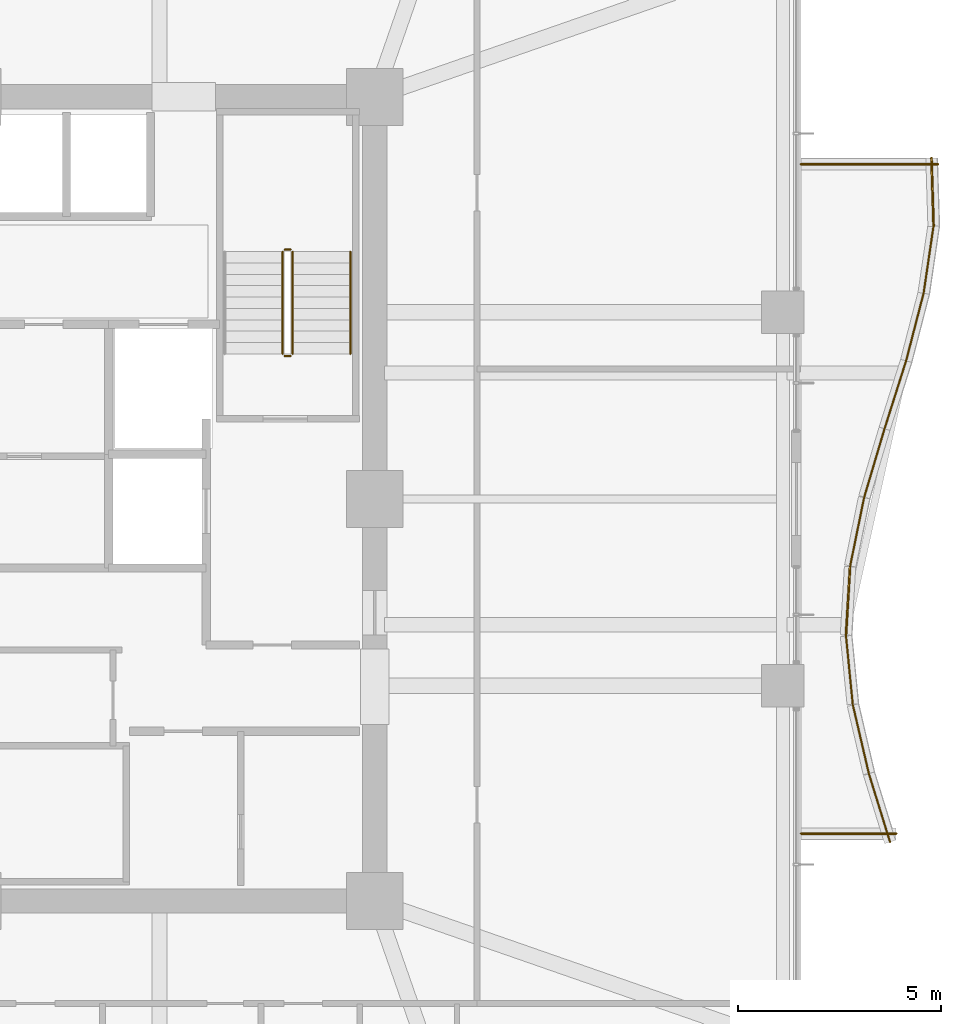
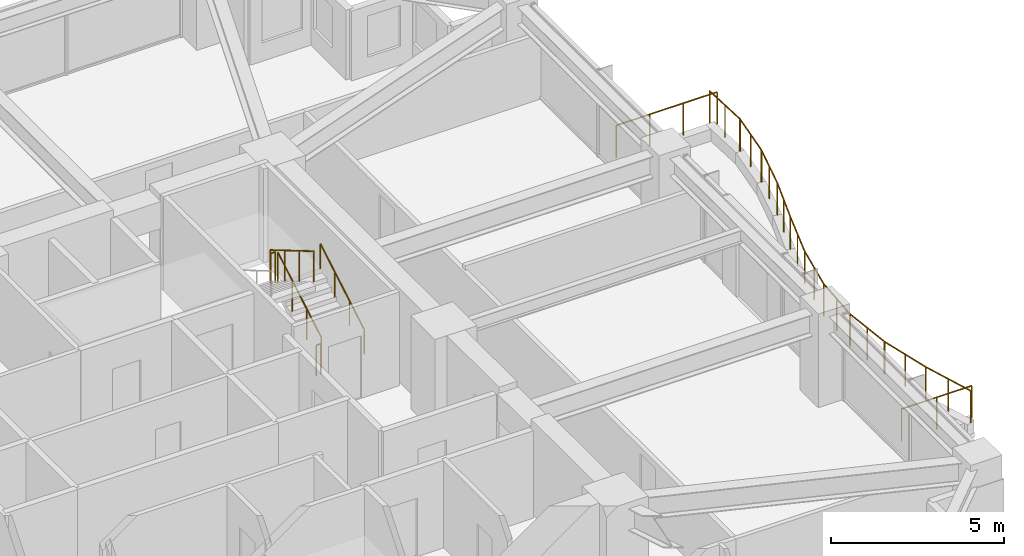
# One storey, part 36 of 36: 17 railings.
"""IFC4 building model written with IfcOpenShell, lengths in metres."""

from ifc_helpers import new_model, si_unit, direction, frame, origin, origin_2d, place, context, subcontext, project, spatial, circle, extrude, material, type_object, element, save


model = new_model("IFC4")

# Units and contexts
model_context = context("Model", 3, precision=1e-05, world=origin(), true_north=direction((0.0, 1.0)))
body_context = subcontext(model_context, "Body", "Model", "MODEL_VIEW")
ifc_project = project(units=[si_unit("LENGTHUNIT", "METRE"), si_unit("AREAUNIT", "SQUARE_METRE"), si_unit("VOLUMEUNIT", "CUBIC_METRE"), si_unit("PLANEANGLEUNIT", "RADIAN"), si_unit("MASSUNIT", "GRAM", prefix="KILO")], contexts=[model_context])

# Site, building, storey
site_placement = place(None, origin())
site = spatial("IfcSite", under=ifc_project, at=site_placement, CompositionType="ELEMENT")
building_placement = place(site_placement, origin())
building = spatial("IfcBuilding", under=site, at=building_placement, Name="Kolvaren Belvedere", CompositionType="ELEMENT")
storey_placement = place(building_placement, frame((0.0, 0.0, 95.300048828125)))
storey = spatial("IfcBuildingStorey", under=building, at=storey_placement, Name="L27", CompositionType="ELEMENT", Elevation=95.300048828125)

# Railings
ifc_material_1 = material(Name="Anodised pale-metal aluminium & laminated glass guard", Category="aluminium")
railing_type_1 = type_object("IfcRailingType", Name="RL-GUARD-1150", PredefinedType="GUARDRAIL", material=ifc_material_1)
railing_1_placement = place(storey_placement, frame((22.587158203125, -8.447265625, 0.3798828125)))
element("IfcRailing", 1, at=railing_1_placement, inside=storey, type_object=railing_type_1, Name="L27 Exterior Deck Safety Guard BAL-E-1", PredefinedType="GUARDRAIL", context=body_context, shape_type="SweptSolid", body=[
    extrude(circle(Radius=0.02392578125, at=origin_2d()), frame((0.0, 0.0, 1.1259765625), z_axis=(-0.295831524561, 0.95524013163, 0.0), x_axis=(-0.95524013163, -0.295831524561, 0.0)), (0.0, 0.0, 1.0), 1.758544921875),
    extrude(circle(Radius=0.02099609375, at=origin_2d()), origin(), (0.0, 0.0, 1.0), 1.101806640625),
    extrude(circle(Radius=0.02099609375, at=origin_2d()), frame((-0.26025390625, 0.83984375, 0.0)), (0.0, 0.0, 1.0), 1.101806640625),
    extrude(circle(Radius=0.02099609375, at=origin_2d()), frame((-0.520263671875, 1.679931640625, 0.0)), (0.0, 0.0, 1.0), 1.101806640625),
])
railing_2_placement = place(storey_placement, frame((22.06396484375, -6.75634765625, 0.3798828125)))
element("IfcRailing", 2, at=railing_2_placement, inside=storey, type_object=railing_type_1, Name="L27 Exterior Deck Safety Guard BAL-E-2", PredefinedType="GUARDRAIL", context=body_context, shape_type="SweptSolid", body=[
    extrude(circle(Radius=0.02392578125, at=origin_2d()), frame((0.0, 0.0, 1.1259765625), z_axis=(-0.227019323824, 0.973890253884, 0.0), x_axis=(-0.973890253884, -0.227019323824, 0.0)), (0.0, 0.0, 1.0), 1.724853515625),
    extrude(circle(Radius=0.02099609375, at=origin_2d()), origin(), (0.0, 0.0, 1.0), 1.101806640625),
    extrude(circle(Radius=0.02099609375, at=origin_2d()), frame((-0.19580078125, 0.83984375, 0.0)), (0.0, 0.0, 1.0), 1.101806640625),
    extrude(circle(Radius=0.02099609375, at=origin_2d()), frame((-0.3916015625, 1.679931640625, 0.0)), (0.0, 0.0, 1.0), 1.101806640625),
])
railing_3_placement = place(storey_placement, frame((21.6689453125, -5.0556640625, 0.3798828125)))
element("IfcRailing", 3, at=railing_3_placement, inside=storey, type_object=railing_type_1, Name="L27 Exterior Deck Safety Guard BAL-E-3", PredefinedType="GUARDRAIL", context=body_context, shape_type="SweptSolid", body=[
    extrude(circle(Radius=0.02392578125, at=origin_2d()), frame((0.0, 0.0, 1.1259765625), z_axis=(-0.098343801694, 0.995152499202, 0.0), x_axis=(-0.995152499202, -0.098343801694, 0.0)), (0.0, 0.0, 1.0), 1.688232421875),
    extrude(circle(Radius=0.02099609375, at=origin_2d()), origin(), (0.0, 0.0, 1.0), 1.101806640625),
    extrude(circle(Radius=0.02099609375, at=origin_2d()), frame((-0.0830078125, 0.83984375, 0.0)), (0.0, 0.0, 1.0), 1.101806640625),
    extrude(circle(Radius=0.02099609375, at=origin_2d()), frame((-0.166015625, 1.679931640625, 0.0)), (0.0, 0.0, 1.0), 1.101806640625),
])
railing_4_placement = place(storey_placement, frame((21.50244140625, -3.350341796875, 0.3798828125)))
element("IfcRailing", 4, at=railing_4_placement, inside=storey, type_object=railing_type_1, Name="L27 Exterior Deck Safety Guard BAL-E-4", PredefinedType="GUARDRAIL", context=body_context, shape_type="SweptSolid", body=[
    extrude(circle(Radius=0.02392578125, at=origin_2d()), frame((0.0, 0.0, 1.1259765625), z_axis=(0.059767979379, 0.998212296378, 0.0), x_axis=(-0.998212296378, 0.059767979379, 0.0)), (0.0, 0.0, 1.0), 1.682861328125),
    extrude(circle(Radius=0.02099609375, at=origin_2d()), origin(), (0.0, 0.0, 1.0), 1.101806640625),
    extrude(circle(Radius=0.02099609375, at=origin_2d()), frame((0.05029296875, 0.83984375, 0.0)), (0.0, 0.0, 1.0), 1.101806640625),
    extrude(circle(Radius=0.02099609375, at=origin_2d()), frame((0.1005859375, 1.679931640625, 0.0)), (0.0, 0.0, 1.0), 1.101806640625),
])
railing_5_placement = place(storey_placement, frame((21.60595703125, -1.64794921875, 0.3798828125)))
element("IfcRailing", 5, at=railing_5_placement, inside=storey, type_object=railing_type_1, Name="L27 Exterior Deck Safety Guard BAL-E-5", PredefinedType="GUARDRAIL", context=body_context, shape_type="SweptSolid", body=[
    extrude(circle(Radius=0.02392578125, at=origin_2d()), frame((0.0, 0.0, 1.1259765625), z_axis=(0.199784246163, 0.979839912937, 0.0), x_axis=(-0.979839912937, 0.199784246163, 0.0)), (0.0, 0.0, 1.0), 1.714599609375),
    extrude(circle(Radius=0.02099609375, at=origin_2d()), origin(), (0.0, 0.0, 1.0), 1.101806640625),
    extrude(circle(Radius=0.02099609375, at=origin_2d()), frame((0.17138671875, 0.83984375, 0.0)), (0.0, 0.0, 1.0), 1.101806640625),
    extrude(circle(Radius=0.02099609375, at=origin_2d()), frame((0.342529296875, 1.679931640625, 0.0)), (0.0, 0.0, 1.0), 1.101806640625),
])
railing_6_placement = place(storey_placement, frame((21.951904296875, 0.045654296875, 0.3798828125)))
element("IfcRailing", 6, at=railing_6_placement, inside=storey, type_object=railing_type_1, Name="L27 Exterior Deck Safety Guard BAL-E-6", PredefinedType="GUARDRAIL", context=body_context, shape_type="SweptSolid", body=[
    extrude(circle(Radius=0.02392578125, at=origin_2d()), frame((0.0, 0.0, 1.1259765625), z_axis=(0.284880325779, 0.95856309129, 0.0), x_axis=(-0.95856309129, 0.284880325779, 0.0)), (0.0, 0.0, 1.0), 1.75244140625),
    extrude(circle(Radius=0.02099609375, at=origin_2d()), origin(), (0.0, 0.0, 1.0), 1.101806640625),
    extrude(circle(Radius=0.02099609375, at=origin_2d()), frame((0.24951171875, 0.83984375, 0.0)), (0.0, 0.0, 1.0), 1.101806640625),
    extrude(circle(Radius=0.02099609375, at=origin_2d()), frame((0.499267578125, 1.679931640625, 0.0)), (0.0, 0.0, 1.0), 1.101806640625),
])
railing_7_placement = place(storey_placement, frame((22.4521484375, 1.728515625, 0.3798828125)))
element("IfcRailing", 7, at=railing_7_placement, inside=storey, type_object=railing_type_1, Name="L27 Exterior Deck Safety Guard BAL-E-7", PredefinedType="GUARDRAIL", context=body_context, shape_type="SweptSolid", body=[
    extrude(circle(Radius=0.02392578125, at=origin_2d()), frame((0.0, 0.0, 1.1259765625), z_axis=(0.302397356111, 0.953181954832, 0.0), x_axis=(-0.953181954832, 0.302397356111, 0.0)), (0.0, 0.0, 1.0), 1.762451171875),
    extrude(circle(Radius=0.02099609375, at=origin_2d()), origin(), (0.0, 0.0, 1.0), 1.101806640625),
    extrude(circle(Radius=0.02099609375, at=origin_2d()), frame((0.2666015625, 0.83984375, 0.0)), (0.0, 0.0, 1.0), 1.101806640625),
    extrude(circle(Radius=0.02099609375, at=origin_2d()), frame((0.532958984375, 1.679931640625, 0.0)), (0.0, 0.0, 1.0), 1.101806640625),
])
railing_8_placement = place(storey_placement, frame((22.982666015625, 3.400146484375, 0.3798828125)))
element("IfcRailing", 8, at=railing_8_placement, inside=storey, type_object=railing_type_1, Name="L27 Exterior Deck Safety Guard BAL-E-8", PredefinedType="GUARDRAIL", context=body_context, shape_type="SweptSolid", body=[
    extrude(circle(Radius=0.02392578125, at=origin_2d()), frame((0.0, 0.0, 1.1259765625), z_axis=(0.250439664624, 0.968132209145, 0.0), x_axis=(-0.968132209145, 0.250439664624, 0.0)), (0.0, 0.0, 1.0), 1.7353515625),
    extrude(circle(Radius=0.02099609375, at=origin_2d()), origin(), (0.0, 0.0, 1.0), 1.101806640625),
    extrude(circle(Radius=0.02099609375, at=origin_2d()), frame((0.21728515625, 0.83984375, 0.0)), (0.0, 0.0, 1.0), 1.101806640625),
    extrude(circle(Radius=0.02099609375, at=origin_2d()), frame((0.4345703125, 1.679931640625, 0.0)), (0.0, 0.0, 1.0), 1.101806640625),
])
railing_9_placement = place(storey_placement, frame((23.413818359375, 5.063232421875, 0.3798828125)))
element("IfcRailing", 9, at=railing_9_placement, inside=storey, type_object=railing_type_1, Name="L27 Exterior Deck Safety Guard BAL-E-9", PredefinedType="GUARDRAIL", context=body_context, shape_type="SweptSolid", body=[
    extrude(circle(Radius=0.02392578125, at=origin_2d()), frame((0.0, 0.0, 1.1259765625), z_axis=(0.145907826437, 0.98929818871, 0.0), x_axis=(-0.98929818871, 0.145907826437, 0.0)), (0.0, 0.0, 1.0), 1.6982421875),
    extrude(circle(Radius=0.02099609375, at=origin_2d()), origin(), (0.0, 0.0, 1.0), 1.101806640625),
    extrude(circle(Radius=0.02099609375, at=origin_2d()), frame((0.1240234375, 0.840087890625, 0.0)), (0.0, 0.0, 1.0), 1.101806640625),
    extrude(circle(Radius=0.02099609375, at=origin_2d()), frame((0.247802734375, 1.68017578125, 0.0)), (0.0, 0.0, 1.0), 1.101806640625),
])
railing_10_placement = place(storey_placement, frame((23.66015625, 6.715087890625, 0.3798828125)))
element("IfcRailing", 10, at=railing_10_placement, inside=storey, type_object=railing_type_1, Name="L27 Exterior Deck Safety Guard BAL-E-10", PredefinedType="GUARDRAIL", context=body_context, shape_type="SweptSolid", body=[
    extrude(circle(Radius=0.02392578125, at=origin_2d()), frame((0.0, 0.0, 1.1259765625), z_axis=(-0.031520443874, 0.999503107358, 0.0), x_axis=(-0.999503107358, -0.031520443874, 0.0)), (0.0, 0.0, 1.0), 1.6806640625),
    extrude(circle(Radius=0.02099609375, at=origin_2d()), origin(), (0.0, 0.0, 1.0), 1.101806640625),
    extrude(circle(Radius=0.02099609375, at=origin_2d()), frame((-0.0263671875, 0.83984375, 0.0)), (0.0, 0.0, 1.0), 1.101806640625),
    extrude(circle(Radius=0.02099609375, at=origin_2d()), frame((-0.052978515625, 1.679931640625, 0.0)), (0.0, 0.0, 1.0), 1.101806640625),
])
railing_11_placement = place(storey_placement, frame((23.76708984375, 8.239990234375, 0.3798828125)))
element("IfcRailing", 11, at=railing_11_placement, inside=storey, type_object=railing_type_1, Name="L27 Exterior Deck Safety Guard BAL-E-11", PredefinedType="GUARDRAIL", context=body_context, shape_type="SweptSolid", body=[
    extrude(circle(Radius=0.02392578125, at=origin_2d()), frame((0.0, 0.0, 1.1259765625), z_axis=(-1.0, 0.0, 0.0), x_axis=(0.0, -1.0, 0.0)), (0.0, 0.0, 1.0), 3.3671875),
    extrude(circle(Radius=0.02099609375, at=origin_2d()), origin(), (0.0, 0.0, 1.0), 1.101806640625),
    extrude(circle(Radius=0.02099609375, at=origin_2d()), frame((-1.122314453125, 0.0, 0.0)), (0.0, 0.0, 1.0), 1.101806640625),
    extrude(circle(Radius=0.02099609375, at=origin_2d()), frame((-2.244873046875, 0.0, 0.0)), (0.0, 0.0, 1.0), 1.101806640625),
    extrude(circle(Radius=0.02099609375, at=origin_2d()), frame((-3.3671875, 0.0, 0.0)), (0.0, 0.0, 1.0), 1.101806640625),
])
railing_12_placement = place(storey_placement, frame((20.39990234375, -8.239990234375, 0.3798828125)))
element("IfcRailing", 12, at=railing_12_placement, inside=storey, type_object=railing_type_1, Name="L27 Exterior Deck Safety Guard BAL-E-22", PredefinedType="GUARDRAIL", context=body_context, shape_type="SweptSolid", body=[
    extrude(circle(Radius=0.02392578125, at=origin_2d()), frame((0.0, 0.0, 1.1259765625), z_axis=(1.0, 0.0, 0.0), x_axis=(0.0, 1.0, 0.0)), (0.0, 0.0, 1.0), 2.340087890625),
    extrude(circle(Radius=0.02099609375, at=origin_2d()), origin(), (0.0, 0.0, 1.0), 1.101806640625),
    extrude(circle(Radius=0.02099609375, at=origin_2d()), frame((1.169921875, 0.0, 0.0)), (0.0, 0.0, 1.0), 1.101806640625),
    extrude(circle(Radius=0.02099609375, at=origin_2d()), frame((2.340087890625, 0.0, 0.0)), (0.0, 0.0, 1.0), 1.101806640625),
])
ifc_material_2 = material(Name="Brushed stainless-steel handrail", Category="steel")
railing_type_2 = type_object("IfcRailingType", Name="RL-HANDRAIL-920", PredefinedType="HANDRAIL", material=ifc_material_2)
railing_13_placement = place(storey_placement, frame((9.300048828125, 3.570068359375, 0.1650390625)))
element("IfcRailing", 13, at=railing_13_placement, inside=storey, type_object=railing_type_2, Name="L27 ST-2 stair handrail 1", PredefinedType="HANDRAIL", context=body_context, shape_type="SweptSolid", body=[
    extrude(circle(Radius=0.02392578125, at=origin_2d()), frame((0.0, 0.0, 0.8759765625), z_axis=(0.0, 0.861560626758, 0.507654692109), x_axis=(-1.0, 0.0, 0.0)), (0.0, 0.0, 1.0), 2.925048828125),
    extrude(circle(Radius=0.02099609375, at=origin_2d()), origin(), (0.0, 0.0, 1.0), 0.851806640625),
    extrude(circle(Radius=0.02099609375, at=origin_2d()), frame((0.0, 0.840087890625, 0.494873046875)), (0.0, 0.0, 1.0), 0.851806640625),
    extrude(circle(Radius=0.02099609375, at=origin_2d()), frame((0.0, 1.679931640625, 0.989990234375)), (0.0, 0.0, 1.0), 0.851806640625),
    extrude(circle(Radius=0.02099609375, at=origin_2d()), frame((0.0, 2.52001953125, 1.48486328125)), (0.0, 0.0, 1.0), 0.851806640625),
])
ifc_material_3 = material(Name="Painted tubular steel stair guard", Category="steel")
railing_type_3 = type_object("IfcRailingType", Name="RL-STGUARD-1100", PredefinedType="GUARDRAIL", material=ifc_material_3)
railing_14_placement = place(storey_placement, frame((7.8798828125, 3.570068359375, 0.1650390625)))
element("IfcRailing", 14, at=railing_14_placement, inside=storey, type_object=railing_type_3, Name="L27 ST-2 stair guard 1", PredefinedType="GUARDRAIL", context=body_context, shape_type="SweptSolid", body=[
    extrude(circle(Radius=0.02392578125, at=origin_2d()), frame((0.0, 0.0, 1.076171875), z_axis=(0.0, 0.861560626758, 0.507654692109), x_axis=(-1.0, 0.0, 0.0)), (0.0, 0.0, 1.0), 2.925048828125),
    extrude(circle(Radius=0.02099609375, at=origin_2d()), origin(), (0.0, 0.0, 1.0), 1.052001953125),
    extrude(circle(Radius=0.02099609375, at=origin_2d()), frame((0.0, 0.840087890625, 0.494873046875)), (0.0, 0.0, 1.0), 1.052001953125),
    extrude(circle(Radius=0.02099609375, at=origin_2d()), frame((0.0, 1.679931640625, 0.989990234375)), (0.0, 0.0, 1.0), 1.052001953125),
    extrude(circle(Radius=0.02099609375, at=origin_2d()), frame((0.0, 2.52001953125, 1.48486328125)), (0.0, 0.0, 1.0), 1.052001953125),
])
railing_15_placement = place(storey_placement, frame((7.830078125, 6.139892578125, 1.64990234375)))
element("IfcRailing", 15, at=railing_15_placement, inside=storey, type_object=railing_type_3, Name="L27 ST-2 stair guard 2", PredefinedType="GUARDRAIL", context=body_context, shape_type="SweptSolid", body=[
    extrude(circle(Radius=0.02392578125, at=origin_2d()), frame((0.0, 0.0, 1.076171875), z_axis=(-1.0, 0.0, 0.0), x_axis=(0.0, -1.0, 0.0)), (0.0, 0.0, 1.0), 0.150146484375),
    extrude(circle(Radius=0.02099609375, at=origin_2d()), origin(), (0.0, 0.0, 1.0), 1.052001953125),
    extrude(circle(Radius=0.02099609375, at=origin_2d()), frame((-0.150146484375, 0.0, 0.0)), (0.0, 0.0, 1.0), 1.052001953125),
])
railing_16_placement = place(storey_placement, frame((7.6298828125, 6.090087890625, 1.81494140625)))
element("IfcRailing", 16, at=railing_16_placement, inside=storey, type_object=railing_type_3, Name="L27 ST-2 stair guard 3", PredefinedType="GUARDRAIL", context=body_context, shape_type="SweptSolid", body=[
    extrude(circle(Radius=0.02392578125, at=origin_2d()), frame((0.0, 0.0, 1.076171875), z_axis=(0.0, -0.86152411907, 0.507716645641), x_axis=(1.0, 0.0, 0.0)), (0.0, 0.0, 1.0), 2.925048828125),
    extrude(circle(Radius=0.02099609375, at=origin_2d()), origin(), (0.0, 0.0, 1.0), 1.052001953125),
    extrude(circle(Radius=0.02099609375, at=origin_2d()), frame((0.0, -0.840087890625, 0.4951171875)), (0.0, 0.0, 1.0), 1.052001953125),
    extrude(circle(Radius=0.02099609375, at=origin_2d()), frame((0.0, -1.679931640625, 0.989990234375)), (0.0, 0.0, 1.0), 1.052001953125),
    extrude(circle(Radius=0.02099609375, at=origin_2d()), frame((0.0, -2.52001953125, 1.485107421875)), (0.0, 0.0, 1.0), 1.052001953125),
])
railing_17_placement = place(storey_placement, frame((7.830078125, 3.52001953125, 0.0)))
element("IfcRailing", 17, at=railing_17_placement, inside=storey, type_object=railing_type_3, Name="L27 ST-2 stair guard 4", PredefinedType="GUARDRAIL", context=body_context, shape_type="SweptSolid", body=[
    extrude(circle(Radius=0.02392578125, at=origin_2d()), frame((0.0, 0.0, 1.076171875), z_axis=(-1.0, 0.0, 0.0), x_axis=(0.0, -1.0, 0.0)), (0.0, 0.0, 1.0), 0.150146484375),
    extrude(circle(Radius=0.02099609375, at=origin_2d()), origin(), (0.0, 0.0, 1.0), 1.052001953125),
    extrude(circle(Radius=0.02099609375, at=origin_2d()), frame((-0.150146484375, 0.0, 0.0)), (0.0, 0.0, 1.0), 1.052001953125),
])

save(model, "model.ifc")
